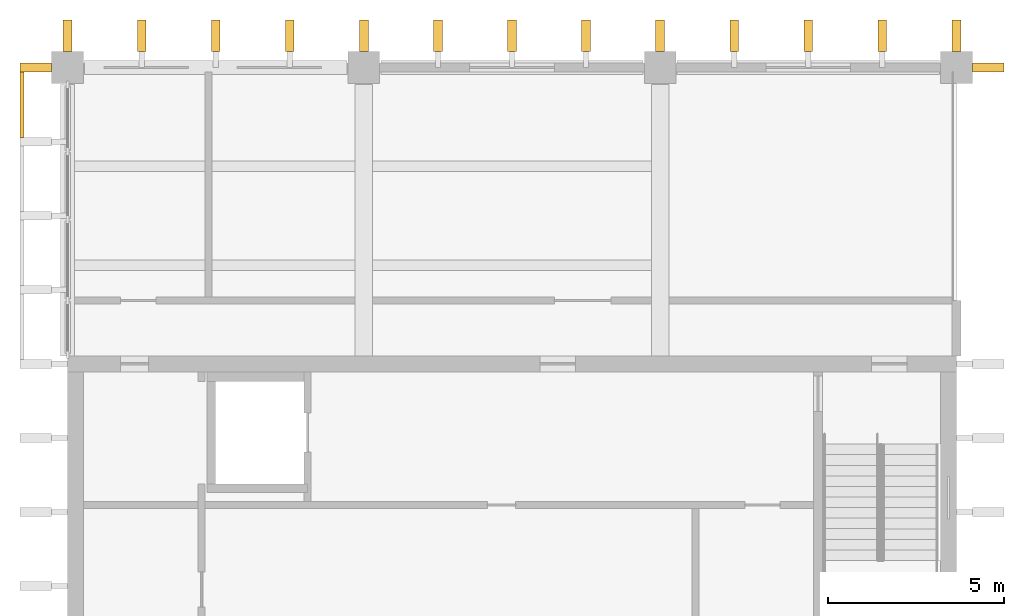
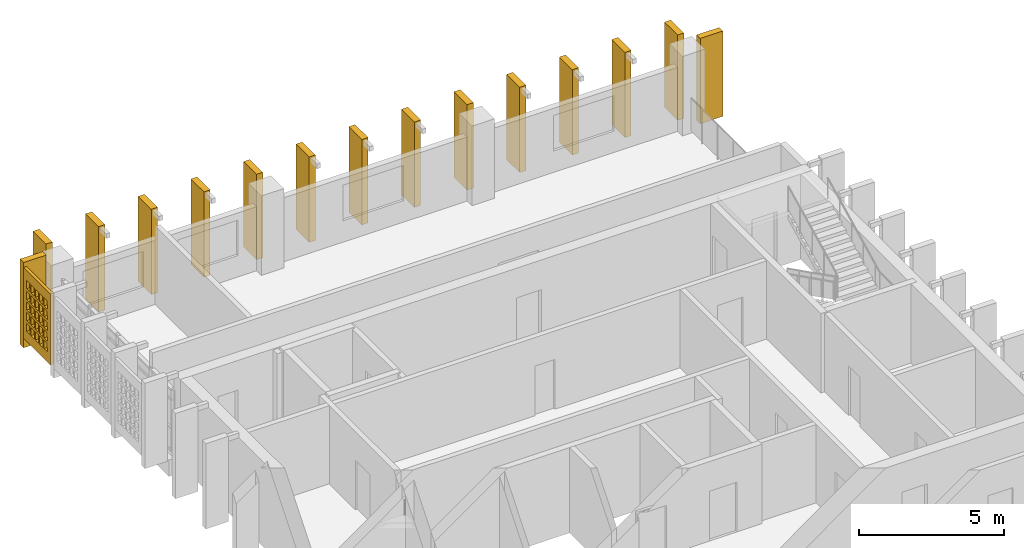
# One storey, part 12 of 13: 16 shading devices, 1 opening.
"""IFC4 building model written with IfcOpenShell, lengths in metres."""

from ifc_helpers import new_model, si_unit, direction, frame, origin, origin_2d, place, context, subcontext, project, spatial, rectangle, extrude, material, layer, layer_set, material_profile, profile_set, type_object, element, save


model = new_model("IFC4")

# Units and contexts
model_context = context("Model", 3, precision=1e-05, world=origin(), true_north=direction((0.0, 1.0)))
body_context = subcontext(model_context, "Body", "Model", "MODEL_VIEW")
ifc_project = project(units=[si_unit("LENGTHUNIT", "METRE"), si_unit("AREAUNIT", "SQUARE_METRE"), si_unit("VOLUMEUNIT", "CUBIC_METRE"), si_unit("PLANEANGLEUNIT", "RADIAN"), si_unit("MASSUNIT", "GRAM", prefix="KILO")], contexts=[model_context])

# Site, building, storey
site_placement = place(None, origin())
site = spatial("IfcSite", under=ifc_project, at=site_placement, CompositionType="ELEMENT")
building_placement = place(site_placement, origin())
building = spatial("IfcBuilding", under=site, at=building_placement, Name="Rulbaag Community and Learning Centre", CompositionType="ELEMENT")
storey_placement = place(building_placement, frame((0.0, 0.0, 25.199951171875)))
storey = spatial("IfcBuildingStorey", under=building, at=storey_placement, Name="L06", CompositionType="ELEMENT", Elevation=25.199951171875)

# Shading devices
ifc_material = material(Name="Concrete M40", Category="concrete")
ifc_material_profile = material_profile(ifc_material, rectangle(XDim=0.25, YDim=0.89990234375, at=origin_2d()), Name="PC 250x900")
ifc_profile_set = profile_set([ifc_material_profile], Name="Concrete M40")
shading_device_type_1 = type_object("IfcShadingDeviceType", Name="FIN-H", PredefinedType="JALOUSIE", material=ifc_profile_set)
for number, where, z_axis, x_axis, name in (
    (1, (142.800048828125, 118.5, 0.0), (0.0, 0.0, 1.0), (1.0, 0.0, 0.0), "Precast fin"),
    (2, (144.89990234375, 118.5, 0.0), (0.0, 0.0, 1.0), (1.0, 0.0, 0.0), "Precast fin"),
    (3, (147.0, 118.5, 0.0), (0.0, 0.0, 1.0), (1.0, 0.0, 0.0), "Precast fin"),
    (4, (149.10009765625, 118.5, 0.0), (0.0, 0.0, 1.0), (1.0, 0.0, 0.0), "Precast fin"),
    (5, (151.199951171875, 118.5, 0.0), (0.0, 0.0, 1.0), (1.0, 0.0, 0.0), "Precast fin"),
    (6, (153.300048828125, 118.5, 0.0), (0.0, 0.0, 1.0), (1.0, 0.0, 0.0), "Precast fin"),
    (7, (155.39990234375, 118.5, 0.0), (0.0, 0.0, 1.0), (1.0, 0.0, 0.0), "Precast fin"),
    (8, (157.5, 118.5, 0.0), (0.0, 0.0, 1.0), (1.0, 0.0, 0.0), "Precast fin"),
    (9, (159.60009765625, 118.5, 0.0), (0.0, 0.0, 1.0), (1.0, 0.0, 0.0), "Precast fin"),
    (10, (161.699951171875, 118.5, 0.0), (0.0, 0.0, 1.0), (1.0, 0.0, 0.0), "Precast fin"),
    (11, (163.800048828125, 118.5, 0.0), (0.0, 0.0, 1.0), (1.0, 0.0, 0.0), "Precast fin"),
    (12, (165.89990234375, 118.5, 0.0), (0.0, 0.0, 1.0), (1.0, 0.0, 0.0), "Precast fin"),
    (13, (168.0, 118.5, 0.0), (0.0, 0.0, 1.0), (1.0, 0.0, 0.0), "Precast fin"),
    (14, (141.89990234375, 117.60009765625, 0.0), (0.0, 0.0, 1.0), (0.0, 1.0, 0.0), "Precast fin"),
    (15, (168.89990234375, 117.60009765625, 0.0), (0.0, 0.0, 1.0), (0.0, 1.0, 0.0), "Precast fin"),
):
    element("IfcShadingDevice", number, at=place(storey_placement, frame(where, z_axis=z_axis, x_axis=x_axis)), inside=storey, type_object=shading_device_type_1, Name=name, PredefinedType="JALOUSIE", context=body_context, shape_type="SweptSolid", body=[
        extrude(rectangle(XDim=0.25, YDim=0.89990234375, at=origin_2d()), origin(), (0.0, 0.0, 1.0), 3.60009765625),
    ])

# Shading device, opening
ifc_layer = layer(ifc_material, 0.1201171875)
ifc_layer_set = layer_set([ifc_layer], Name="JB-83")
shading_device_type_2 = type_object("IfcShadingDeviceType", Name="JB-83", PredefinedType="SHUTTER", material=ifc_layer_set)
shading_device_placement = place(storey_placement, frame((141.510009765625, 116.550048828125, 0.400146484375), z_axis=(0.0, 0.0, 1.0), x_axis=(1.0, 0.0, 0.0)))
shading_device = element("IfcShadingDevice", 16, at=shading_device_placement, inside=storey, type_object=shading_device_type_2, Name="Jaali screen", PredefinedType="SHUTTER", context=body_context, shape_type="SweptSolid", body=[
    extrude(rectangle(XDim=0.1201171875, YDim=1.85009765625, at=origin_2d()), origin(), (0.0, 0.0, 1.0), 3.0),
])
opening_placement = place(shading_device_placement, origin())
element("IfcOpeningElement", 17, at=opening_placement, cuts=shading_device, Name="Perforation JB1", PredefinedType="OPENING", context=body_context, shape_type="SweptSolid", body=[
    extrude(rectangle(XDim=0.22509765625, YDim=0.340087890625, at=origin_2d()), frame((-0.070068359375, -0.60009765625, 0.60009765625), z_axis=(1.0, 0.0, 0.0), x_axis=(0.0, 1.0, 0.0)), (0.0, 0.0, 1.0), 0.139892578125),
    extrude(rectangle(XDim=0.22509765625, YDim=0.340087890625, at=origin_2d()), frame((-0.070068359375, -0.300048828125, 0.60009765625), z_axis=(1.0, 0.0, 0.0), x_axis=(0.0, 1.0, 0.0)), (0.0, 0.0, 1.0), 0.139892578125),
    extrude(rectangle(XDim=0.22509765625, YDim=0.340087890625, at=origin_2d()), frame((-0.070068359375, 0.0, 0.60009765625), z_axis=(1.0, 0.0, 0.0), x_axis=(0.0, 1.0, 0.0)), (0.0, 0.0, 1.0), 0.139892578125),
    extrude(rectangle(XDim=0.22509765625, YDim=0.340087890625, at=origin_2d()), frame((-0.070068359375, 0.300048828125, 0.60009765625), z_axis=(1.0, 0.0, 0.0), x_axis=(0.0, 1.0, 0.0)), (0.0, 0.0, 1.0), 0.139892578125),
    extrude(rectangle(XDim=0.22509765625, YDim=0.340087890625, at=origin_2d()), frame((-0.070068359375, 0.60009765625, 0.60009765625), z_axis=(1.0, 0.0, 0.0), x_axis=(0.0, 1.0, 0.0)), (0.0, 0.0, 1.0), 0.139892578125),
    extrude(rectangle(XDim=0.22509765625, YDim=0.340087890625, at=origin_2d()), frame((-0.070068359375, -0.60009765625, 1.050048828125), z_axis=(1.0, 0.0, 0.0), x_axis=(0.0, 1.0, 0.0)), (0.0, 0.0, 1.0), 0.139892578125),
    extrude(rectangle(XDim=0.22509765625, YDim=0.340087890625, at=origin_2d()), frame((-0.070068359375, -0.300048828125, 1.050048828125), z_axis=(1.0, 0.0, 0.0), x_axis=(0.0, 1.0, 0.0)), (0.0, 0.0, 1.0), 0.139892578125),
    extrude(rectangle(XDim=0.22509765625, YDim=0.340087890625, at=origin_2d()), frame((-0.070068359375, 0.0, 1.050048828125), z_axis=(1.0, 0.0, 0.0), x_axis=(0.0, 1.0, 0.0)), (0.0, 0.0, 1.0), 0.139892578125),
    extrude(rectangle(XDim=0.22509765625, YDim=0.340087890625, at=origin_2d()), frame((-0.070068359375, 0.300048828125, 1.050048828125), z_axis=(1.0, 0.0, 0.0), x_axis=(0.0, 1.0, 0.0)), (0.0, 0.0, 1.0), 0.139892578125),
    extrude(rectangle(XDim=0.22509765625, YDim=0.340087890625, at=origin_2d()), frame((-0.070068359375, 0.60009765625, 1.050048828125), z_axis=(1.0, 0.0, 0.0), x_axis=(0.0, 1.0, 0.0)), (0.0, 0.0, 1.0), 0.139892578125),
    extrude(rectangle(XDim=0.22509765625, YDim=0.340087890625, at=origin_2d()), frame((-0.070068359375, -0.60009765625, 1.5), z_axis=(1.0, 0.0, 0.0), x_axis=(0.0, 1.0, 0.0)), (0.0, 0.0, 1.0), 0.139892578125),
    extrude(rectangle(XDim=0.22509765625, YDim=0.340087890625, at=origin_2d()), frame((-0.070068359375, -0.300048828125, 1.5), z_axis=(1.0, 0.0, 0.0), x_axis=(0.0, 1.0, 0.0)), (0.0, 0.0, 1.0), 0.139892578125),
    extrude(rectangle(XDim=0.22509765625, YDim=0.340087890625, at=origin_2d()), frame((-0.070068359375, 0.0, 1.5), z_axis=(1.0, 0.0, 0.0), x_axis=(0.0, 1.0, 0.0)), (0.0, 0.0, 1.0), 0.139892578125),
    extrude(rectangle(XDim=0.22509765625, YDim=0.340087890625, at=origin_2d()), frame((-0.070068359375, 0.300048828125, 1.5), z_axis=(1.0, 0.0, 0.0), x_axis=(0.0, 1.0, 0.0)), (0.0, 0.0, 1.0), 0.139892578125),
    extrude(rectangle(XDim=0.22509765625, YDim=0.340087890625, at=origin_2d()), frame((-0.070068359375, 0.60009765625, 1.5), z_axis=(1.0, 0.0, 0.0), x_axis=(0.0, 1.0, 0.0)), (0.0, 0.0, 1.0), 0.139892578125),
    extrude(rectangle(XDim=0.22509765625, YDim=0.340087890625, at=origin_2d()), frame((-0.070068359375, -0.60009765625, 1.949951171875), z_axis=(1.0, 0.0, 0.0), x_axis=(0.0, 1.0, 0.0)), (0.0, 0.0, 1.0), 0.139892578125),
    extrude(rectangle(XDim=0.22509765625, YDim=0.340087890625, at=origin_2d()), frame((-0.070068359375, -0.300048828125, 1.949951171875), z_axis=(1.0, 0.0, 0.0), x_axis=(0.0, 1.0, 0.0)), (0.0, 0.0, 1.0), 0.139892578125),
    extrude(rectangle(XDim=0.22509765625, YDim=0.340087890625, at=origin_2d()), frame((-0.070068359375, 0.0, 1.949951171875), z_axis=(1.0, 0.0, 0.0), x_axis=(0.0, 1.0, 0.0)), (0.0, 0.0, 1.0), 0.139892578125),
    extrude(rectangle(XDim=0.22509765625, YDim=0.340087890625, at=origin_2d()), frame((-0.070068359375, 0.300048828125, 1.949951171875), z_axis=(1.0, 0.0, 0.0), x_axis=(0.0, 1.0, 0.0)), (0.0, 0.0, 1.0), 0.139892578125),
    extrude(rectangle(XDim=0.22509765625, YDim=0.340087890625, at=origin_2d()), frame((-0.070068359375, 0.60009765625, 1.949951171875), z_axis=(1.0, 0.0, 0.0), x_axis=(0.0, 1.0, 0.0)), (0.0, 0.0, 1.0), 0.139892578125),
    extrude(rectangle(XDim=0.22509765625, YDim=0.340087890625, at=origin_2d()), frame((-0.070068359375, -0.60009765625, 2.39990234375), z_axis=(1.0, 0.0, 0.0), x_axis=(0.0, 1.0, 0.0)), (0.0, 0.0, 1.0), 0.139892578125),
    extrude(rectangle(XDim=0.22509765625, YDim=0.340087890625, at=origin_2d()), frame((-0.070068359375, -0.300048828125, 2.39990234375), z_axis=(1.0, 0.0, 0.0), x_axis=(0.0, 1.0, 0.0)), (0.0, 0.0, 1.0), 0.139892578125),
    extrude(rectangle(XDim=0.22509765625, YDim=0.340087890625, at=origin_2d()), frame((-0.070068359375, 0.0, 2.39990234375), z_axis=(1.0, 0.0, 0.0), x_axis=(0.0, 1.0, 0.0)), (0.0, 0.0, 1.0), 0.139892578125),
    extrude(rectangle(XDim=0.22509765625, YDim=0.340087890625, at=origin_2d()), frame((-0.070068359375, 0.300048828125, 2.39990234375), z_axis=(1.0, 0.0, 0.0), x_axis=(0.0, 1.0, 0.0)), (0.0, 0.0, 1.0), 0.139892578125),
    extrude(rectangle(XDim=0.22509765625, YDim=0.340087890625, at=origin_2d()), frame((-0.070068359375, 0.60009765625, 2.39990234375), z_axis=(1.0, 0.0, 0.0), x_axis=(0.0, 1.0, 0.0)), (0.0, 0.0, 1.0), 0.139892578125),
])

save(model, "model.ifc")
